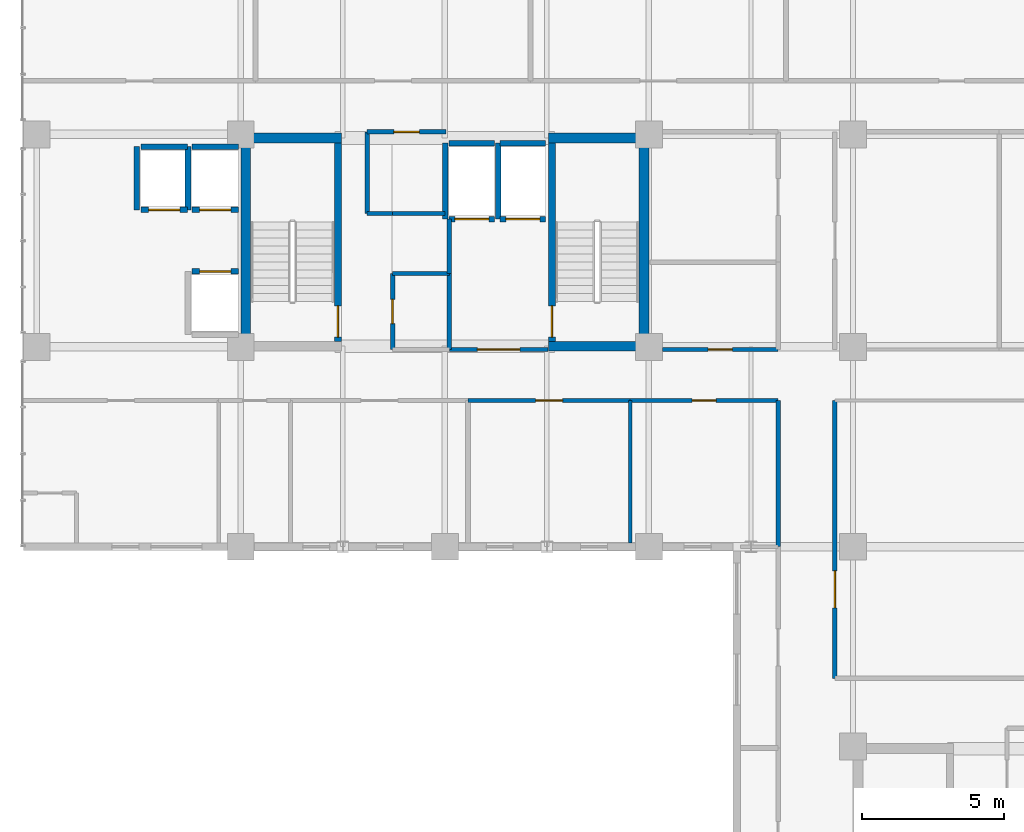
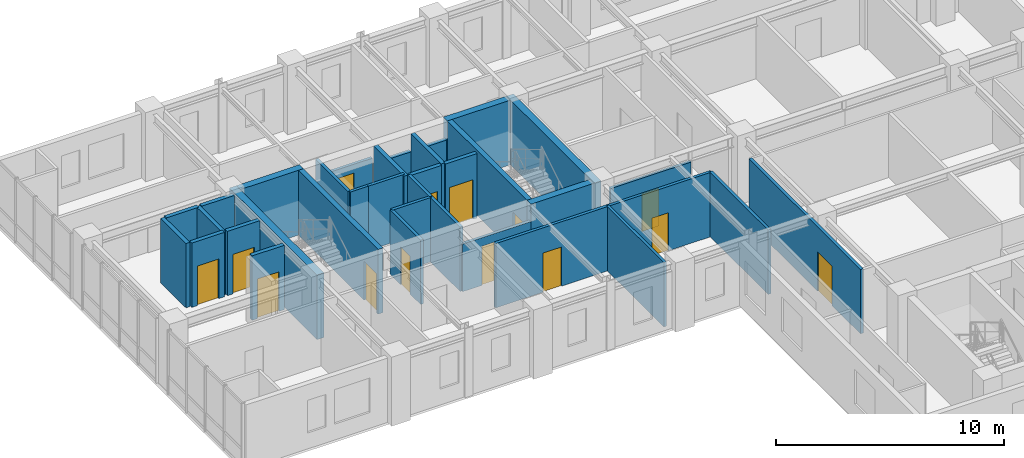
# One storey, part 13 of 20: 35 walls, 14 doors, 14 openings.
"""IFC4 building model written with IfcOpenShell, lengths in metres."""

from ifc_helpers import new_model, si_unit, direction, frame, frame_2d, origin, place, context, subcontext, project, spatial, rectangle, extrude, material, layer, layer_set, type_object, element, fill, save


model = new_model("IFC4")

# Units and contexts
model_context = context("Model", 3, precision=1e-05, world=origin(), true_north=direction((0.0, 1.0)))
body_context = subcontext(model_context, "Body", "Model", "MODEL_VIEW")
ifc_project = project(units=[si_unit("LENGTHUNIT", "METRE"), si_unit("AREAUNIT", "SQUARE_METRE"), si_unit("VOLUMEUNIT", "CUBIC_METRE"), si_unit("PLANEANGLEUNIT", "RADIAN"), si_unit("MASSUNIT", "GRAM", prefix="KILO")], contexts=[model_context])

# Site, building, storey
site_placement = place(None, origin())
site = spatial("IfcSite", under=ifc_project, at=site_placement, CompositionType="ELEMENT")
building_placement = place(site_placement, origin())
building = spatial("IfcBuilding", under=site, at=building_placement, Name="Kaliganga Portal Commons", CompositionType="ELEMENT")
storey_placement = place(building_placement, frame((0.0, 0.0, 216.60009765625)))
storey = spatial("IfcBuildingStorey", under=building, at=storey_placement, Name="L55", CompositionType="ELEMENT", Elevation=216.60009765625)

# Walls
ifc_material_1 = material(Name="Concrete C50/60", Category="concrete")
ifc_layer_1 = layer(ifc_material_1, 0.35009765625)
ifc_layer_set_1 = layer_set([ifc_layer_1], Name="Concrete C50/60")
wall_type_1 = type_object("IfcWallType", Name="WL-CORE-350", PredefinedType="SHEAR", material=ifc_layer_set_1)
for number, where, z_axis, x_axis, name in (
    (1, (14.574951171875, 28.5, 0.0), (0.0, 0.0, 1.0), (0.0, 1.0, 0.0), "Core A West Shear Wall L55"),
    (2, (28.625, 28.5, 0.0), (0.0, 0.0, 1.0), (0.0, 1.0, 0.0), "Core A East Shear Wall L55"),
):
    element("IfcWall", number, at=place(storey_placement, frame(where, z_axis=z_axis, x_axis=x_axis)), inside=storey, type_object=wall_type_1, Name=name, PredefinedType="SHEAR", context=body_context, shape_type="SweptSolid", body=[
        extrude(rectangle(XDim=7.699951171875, YDim=0.35009765625, at=frame_2d((3.85009765625, 0.0))), origin(), (0.0, 0.0, 1.0), 3.469970703125),
    ])
for number, where, z_axis, x_axis, name in (
    (3, (25.25, 28.675048828125, 0.0), (0.0, 0.0, 1.0), (1.0, 0.0, 0.0), "Core A S-East Shear Wall L55"),
    (4, (14.75, 36.02490234375, 0.0), (0.0, 0.0, 1.0), (1.0, 0.0, 0.0), "Core A N-West Shear Wall L55"),
    (5, (25.25, 36.02490234375, 0.0), (0.0, 0.0, 1.0), (1.0, 0.0, 0.0), "Core A N-East Shear Wall L55"),
):
    element("IfcWall", number, at=place(storey_placement, frame(where, z_axis=z_axis, x_axis=x_axis)), inside=storey, type_object=wall_type_1, Name=name, PredefinedType="SHEAR", context=body_context, shape_type="SweptSolid", body=[
        extrude(rectangle(XDim=3.199951171875, YDim=0.35009765625, at=frame_2d((1.60009765625, 0.0))), origin(), (0.0, 0.0, 1.0), 3.469970703125),
    ])

# Wall, opening, door
ifc_material_2 = material(Name="Fire-Rated Gypsum Board on Steel Stud", Category="steel")
ifc_layer_2 = layer(ifc_material_2, 0.14990234375)
ifc_layer_set_2 = layer_set([ifc_layer_2], Name="Fire-Rated Gypsum Board on Steel Stud")
wall_type_2 = type_object("IfcWallType", Name="WL-PART-CORR-150", PredefinedType="PARTITIONING", material=ifc_layer_set_2)
wall_1_placement = place(storey_placement, frame((35.360107421875, 16.9599609375, 0.0), z_axis=(0.0, 0.0, 1.0), x_axis=(0.0, 1.0, 0.0)))
wall_1 = element("IfcWall", 6, at=wall_1_placement, inside=storey, type_object=wall_type_2, Name="Interior Partition L55-007", PredefinedType="PARTITIONING", context=body_context, shape_type="SweptSolid", body=[
    extrude(rectangle(XDim=9.800048828125, YDim=0.14990234375, at=frame_2d((4.89990234375, 0.0))), origin(), (0.0, 0.0, 1.0), 3.449951171875),
])
opening_1_placement = place(wall_1_placement, frame((2.486083984375, 0.0, 0.0)))
opening_1 = element("IfcOpeningElement", 7, at=opening_1_placement, cuts=wall_1, Name="Opening RD-03", PredefinedType="OPENING", context=body_context, shape_type="SweptSolid", body=[
    extrude(rectangle(XDim=1.300048828125, YDim=2.1201171875, at=frame_2d((0.64990234375, 1.06005859375))), frame((0.0, 0.0849609375, 0.0), z_axis=(0.0, -1.0, 0.0), x_axis=(1.0, 0.0, 0.0)), (0.0, 0.0, 1.0), 0.169921875),
])
ifc_material_3 = material(Name="Glazed Timber Seminar Vision Door", Category="wood")
door_type_1 = type_object("IfcDoorType", Name="DR-STUDY-1300", OperationType="DOUBLE_DOOR_SINGLE_SWING", PredefinedType="DOOR", material=ifc_material_3)
door_1_placement = place(opening_1_placement, origin())
door_1 = element("IfcDoor", 8, at=door_1_placement, inside=storey, type_object=door_type_1, Name="Interior Door L55-BM01", OperationType="DOUBLE_DOOR_SINGLE_SWING", OverallHeight=2.1201171875, OverallWidth=1.300048828125, PredefinedType="DOOR", context=body_context, shape_type="SweptSolid", body=[
    extrude(rectangle(XDim=1.300048828125, YDim=2.1201171875, at=frame_2d((0.64990234375, 1.06005859375))), frame((0.0, 0.02490234375, 0.0), z_axis=(0.0, -1.0, 0.0), x_axis=(1.0, 0.0, 0.0)), (0.0, 0.0, 1.0), 0.050048828125),
])
fill(opening_1, door_1)

wall_2_placement = place(storey_placement, frame((22.419921875, 26.760009765625, 0.0), z_axis=(0.0, 0.0, 1.0), x_axis=(1.0, 0.0, 0.0)))
wall_2 = element("IfcWall", 9, at=wall_2_placement, inside=storey, type_object=wall_type_2, Name="Interior Partition L55-021", PredefinedType="PARTITIONING", context=body_context, shape_type="SweptSolid", body=[
    extrude(rectangle(XDim=5.719970703125, YDim=0.14990234375, at=frame_2d((2.85986328125, 0.0))), origin(), (0.0, 0.0, 1.0), 3.449951171875),
])
opening_2_placement = place(wall_2_placement, frame((2.385009765625, 0.0, 0.0)))
opening_2 = element("IfcOpeningElement", 10, at=opening_2_placement, cuts=wall_2, Name="Opening UD-01", PredefinedType="OPENING", context=body_context, shape_type="SweptSolid", body=[
    extrude(rectangle(XDim=0.949951171875, YDim=2.10009765625, at=frame_2d((0.47509765625, 1.050048828125))), frame((0.0, 0.0849609375, 0.0), z_axis=(0.0, -1.0, 0.0), x_axis=(1.0, 0.0, 0.0)), (0.0, 0.0, 1.0), 0.169921875),
])
ifc_material_4 = material(Name="Solid-Core Timber Acoustic Fire Door", Category="wood")
door_type_2 = type_object("IfcDoorType", Name="DR-UNIT-950", OperationType="NOTDEFINED", PredefinedType="DOOR", material=ifc_material_4)
door_2_placement = place(opening_2_placement, origin())
door_2 = element("IfcDoor", 11, at=door_2_placement, inside=storey, type_object=door_type_2, Name="Interior Door L55-AS04", OperationType="SINGLE_SWING_LEFT", OverallHeight=2.10009765625, OverallWidth=0.949951171875, PredefinedType="DOOR", context=body_context, shape_type="SweptSolid", body=[
    extrude(rectangle(XDim=0.949951171875, YDim=2.10009765625, at=frame_2d((0.47509765625, 1.050048828125))), frame((0.0, 0.02490234375, 0.0), z_axis=(0.0, -1.0, 0.0), x_axis=(1.0, 0.0, 0.0)), (0.0, 0.0, 1.0), 0.050048828125),
])
fill(opening_2, door_2)

wall_3_placement = place(storey_placement, frame((28.139892578125, 26.760009765625, 0.0), z_axis=(0.0, 0.0, 1.0), x_axis=(1.0, 0.0, 0.0)))
wall_3 = element("IfcWall", 12, at=wall_3_placement, inside=storey, type_object=wall_type_2, Name="Interior Partition L55-024", PredefinedType="PARTITIONING", context=body_context, shape_type="SweptSolid", body=[
    extrude(rectangle(XDim=5.22021484375, YDim=0.14990234375, at=frame_2d((2.610107421875, 0.0))), origin(), (0.0, 0.0, 1.0), 3.449951171875),
])
opening_3_placement = place(wall_3_placement, frame((2.18505859375, 0.0, 0.0)))
opening_3 = element("IfcOpeningElement", 13, at=opening_3_placement, cuts=wall_3, Name="Opening WD-01", PredefinedType="OPENING", context=body_context, shape_type="SweptSolid", body=[
    extrude(rectangle(XDim=0.85009765625, YDim=2.0400390625, at=frame_2d((0.425048828125, 1.02001953125))), frame((0.0, 0.0849609375, 0.0), z_axis=(0.0, -1.0, 0.0), x_axis=(1.0, 0.0, 0.0)), (0.0, 0.0, 1.0), 0.169921875),
])
ifc_material_5 = material(Name="Moisture-Resistant Laminate Timber Door", Category="wood")
door_type_3 = type_object("IfcDoorType", Name="DR-WET-850", OperationType="NOTDEFINED", PredefinedType="DOOR", material=ifc_material_5)
door_3_placement = place(opening_3_placement, origin())
door_3 = element("IfcDoor", 14, at=door_3_placement, inside=storey, type_object=door_type_3, Name="Interior Door L55-AS05", OperationType="SINGLE_SWING_RIGHT", OverallHeight=2.0400390625, OverallWidth=0.85009765625, PredefinedType="DOOR", context=body_context, shape_type="SweptSolid", body=[
    extrude(rectangle(XDim=0.85009765625, YDim=2.0400390625, at=frame_2d((0.425048828125, 1.02001953125))), frame((0.0, 0.02490234375, 0.0), z_axis=(0.0, -1.0, 0.0), x_axis=(1.0, 0.0, 0.0)), (0.0, 0.0, 1.0), 0.050048828125),
])
fill(opening_3, door_3)

# Wall
wall_4_placement = place(storey_placement, frame((33.360107421875, 21.60009765625, 0.0), z_axis=(0.0, 0.0, 1.0), x_axis=(0.0, 1.0, 0.0)))
element("IfcWall", 15, at=wall_4_placement, inside=storey, type_object=wall_type_2, Name="Interior Partition L55-025", PredefinedType="PARTITIONING", context=body_context, shape_type="SweptSolid", body=[
    extrude(rectangle(XDim=5.159912109375, YDim=0.14990234375, at=frame_2d((2.580078125, 0.0))), origin(), (0.0, 0.0, 1.0), 3.449951171875),
])

# Wall, opening, door
wall_5_placement = place(storey_placement, frame((29.27490234375, 28.56005859375, 0.0), z_axis=(0.0, 0.0, 1.0), x_axis=(1.0, 0.0, 0.0)))
wall_5 = element("IfcWall", 16, at=wall_5_placement, inside=storey, type_object=wall_type_2, Name="Interior Partition L55-029", PredefinedType="PARTITIONING", context=body_context, shape_type="SweptSolid", body=[
    extrude(rectangle(XDim=4.085205078125, YDim=0.14990234375, at=frame_2d((2.04248046875, 0.0))), origin(), (0.0, 0.0, 1.0), 2.89990234375),
])
opening_4_placement = place(wall_5_placement, frame((1.612548828125, 0.0, 0.0)))
opening_4 = element("IfcOpeningElement", 17, at=opening_4_placement, cuts=wall_5, Name="Opening WD-02", PredefinedType="OPENING", context=body_context, shape_type="SweptSolid", body=[
    extrude(rectangle(XDim=0.860107421875, YDim=2.02001953125, at=frame_2d((0.43017578125, 1.010009765625))), frame((0.0, 0.0849609375, 0.0), z_axis=(0.0, -1.0, 0.0), x_axis=(1.0, 0.0, 0.0)), (0.0, 0.0, 1.0), 0.169921875),
])
ifc_material_6 = material(Name="Fire-Rated Utility Closet Door", Category="wood")
door_type_4 = type_object("IfcDoorType", Name="DR-STORE-800", OperationType="NOTDEFINED", PredefinedType="DOOR", material=ifc_material_6)
door_4_placement = place(opening_4_placement, origin())
door_4 = element("IfcDoor", 18, at=door_4_placement, inside=storey, type_object=door_type_4, Name="Interior Door L55-CSRV_A1", OperationType="SINGLE_SWING_LEFT", OverallHeight=2.02001953125, OverallWidth=0.860107421875, PredefinedType="DOOR", context=body_context, shape_type="SweptSolid", body=[
    extrude(rectangle(XDim=0.860107421875, YDim=2.02001953125, at=frame_2d((0.43017578125, 1.010009765625))), frame((0.0, 0.02490234375, 0.0), z_axis=(0.0, -1.0, 0.0), x_axis=(1.0, 0.0, 0.0)), (0.0, 0.0, 1.0), 0.050048828125),
])
fill(opening_4, door_4)

# Wall
wall_6_placement = place(storey_placement, frame((18.860107421875, 33.360107421875, 0.0), z_axis=(0.0, 0.0, 1.0), x_axis=(0.0, 1.0, 0.0)))
element("IfcWall", 19, at=wall_6_placement, inside=storey, type_object=wall_type_2, Name="Interior Partition L55-033", PredefinedType="PARTITIONING", context=body_context, shape_type="SweptSolid", body=[
    extrude(rectangle(XDim=2.8798828125, YDim=0.14990234375, at=frame_2d((1.43994140625, 0.0))), origin(), (0.0, 0.0, 1.0), 3.449951171875),
])

# Wall, opening, door
wall_7_placement = place(storey_placement, frame((18.860107421875, 36.239990234375, 0.0), z_axis=(0.0, 0.0, 1.0), x_axis=(1.0, 0.0, 0.0)))
wall_7 = element("IfcWall", 20, at=wall_7_placement, inside=storey, type_object=wall_type_2, Name="Interior Partition L55-035", PredefinedType="PARTITIONING", context=body_context, shape_type="SweptSolid", body=[
    extrude(rectangle(XDim=2.77978515625, YDim=0.14990234375, at=frame_2d((1.389892578125, 0.0))), origin(), (0.0, 0.0, 1.0), 2.5498046875),
])
opening_5_placement = place(wall_7_placement, frame((0.93994140625, 0.0, 0.0)))
opening_5 = element("IfcOpeningElement", 21, at=opening_5_placement, cuts=wall_7, Name="Opening RD-01", PredefinedType="OPENING", context=body_context, shape_type="SweptSolid", body=[
    extrude(rectangle(XDim=0.89990234375, YDim=2.080078125, at=frame_2d((0.449951171875, 1.0400390625))), frame((0.0, 0.0849609375, 0.0), z_axis=(0.0, -1.0, 0.0), x_axis=(1.0, 0.0, 0.0)), (0.0, 0.0, 1.0), 0.169921875),
])
ifc_material_7 = material(Name="Engineered Timber Flush Door", Category="wood")
door_type_5 = type_object("IfcDoorType", Name="DR-ROOM-900", OperationType="NOTDEFINED", PredefinedType="DOOR", material=ifc_material_7)
door_5_placement = place(opening_5_placement, origin())
door_5 = element("IfcDoor", 22, at=door_5_placement, inside=storey, type_object=door_type_5, Name="Interior Door L55-CREC_A1", OperationType="SINGLE_SWING_RIGHT", OverallHeight=2.080078125, OverallWidth=0.89990234375, PredefinedType="DOOR", context=body_context, shape_type="SweptSolid", body=[
    extrude(rectangle(XDim=0.89990234375, YDim=2.080078125, at=frame_2d((0.449951171875, 1.0400390625))), frame((0.0, 0.02490234375, 0.0), z_axis=(0.0, -1.0, 0.0), x_axis=(1.0, 0.0, 0.0)), (0.0, 0.0, 1.0), 0.050048828125),
])
fill(opening_5, door_5)

wall_8_placement = place(storey_placement, frame((19.760009765625, 28.56005859375, 0.0), z_axis=(0.0, 0.0, 1.0), x_axis=(0.0, 1.0, 0.0)))
wall_8 = element("IfcWall", 23, at=wall_8_placement, inside=storey, type_object=wall_type_2, Name="Interior Partition L55-036", PredefinedType="PARTITIONING", context=body_context, shape_type="SweptSolid", body=[
    extrude(rectangle(XDim=2.679931640625, YDim=0.14990234375, at=frame_2d((1.33984375, 0.0))), origin(), (0.0, 0.0, 1.0), 3.449951171875),
])
opening_6_placement = place(wall_8_placement, frame((0.909912109375, 0.0, 0.0)))
opening_6 = element("IfcOpeningElement", 24, at=opening_6_placement, cuts=wall_8, Name="Opening WD-02", PredefinedType="OPENING", context=body_context, shape_type="SweptSolid", body=[
    extrude(rectangle(XDim=0.860107421875, YDim=2.02001953125, at=frame_2d((0.43017578125, 1.010009765625))), frame((0.0, 0.0849609375, 0.0), z_axis=(0.0, -1.0, 0.0), x_axis=(1.0, 0.0, 0.0)), (0.0, 0.0, 1.0), 0.169921875),
])
door_6_placement = place(opening_6_placement, origin())
door_6 = element("IfcDoor", 25, at=door_6_placement, inside=storey, type_object=door_type_4, Name="Interior Door L55-CIN_A1", OperationType="SINGLE_SWING_LEFT", OverallHeight=2.02001953125, OverallWidth=0.860107421875, PredefinedType="DOOR", context=body_context, shape_type="SweptSolid", body=[
    extrude(rectangle(XDim=0.860107421875, YDim=2.02001953125, at=frame_2d((0.43017578125, 1.010009765625))), frame((0.0, 0.02490234375, 0.0), z_axis=(0.0, -1.0, 0.0), x_axis=(1.0, 0.0, 0.0)), (0.0, 0.0, 1.0), 0.050048828125),
])
fill(opening_6, door_6)

# Walls
wall_9_placement = place(storey_placement, frame((21.760009765625, 28.56005859375, 0.0), z_axis=(0.0, 0.0, 1.0), x_axis=(0.0, 1.0, 0.0)))
element("IfcWall", 26, at=wall_9_placement, inside=storey, type_object=wall_type_2, Name="Interior Partition L55-037", PredefinedType="PARTITIONING", context=body_context, shape_type="SweptSolid", body=[
    extrude(rectangle(XDim=2.679931640625, YDim=0.14990234375, at=frame_2d((1.33984375, 0.0))), origin(), (0.0, 0.0, 1.0), 3.449951171875),
])
wall_10_placement = place(storey_placement, frame((19.760009765625, 31.239990234375, 0.0), z_axis=(0.0, 0.0, 1.0), x_axis=(1.0, 0.0, 0.0)))
element("IfcWall", 27, at=wall_10_placement, inside=storey, type_object=wall_type_2, Name="Interior Partition L55-040", PredefinedType="PARTITIONING", context=body_context, shape_type="SweptSolid", body=[
    extrude(rectangle(XDim=2.0, YDim=0.14990234375, at=frame_2d((1.0, 0.0))), origin(), (0.0, 0.0, 1.0), 3.449951171875),
])
wall_11_placement = place(storey_placement, frame((19.760009765625, 33.360107421875, 0.0), z_axis=(0.0, 0.0, 1.0), x_axis=(1.0, 0.0, 0.0)))
element("IfcWall", 28, at=wall_11_placement, inside=storey, type_object=wall_type_2, Name="Interior Partition L55-041", PredefinedType="PARTITIONING", context=body_context, shape_type="SweptSolid", body=[
    extrude(rectangle(XDim=1.85009765625, YDim=0.14990234375, at=frame_2d((0.925048828125, 0.0))), origin(), (0.0, 0.0, 1.0), 3.449951171875),
])
wall_12_placement = place(storey_placement, frame((18.860107421875, 33.360107421875, 0.0), z_axis=(0.0, 0.0, 1.0), x_axis=(1.0, 0.0, 0.0)))
element("IfcWall", 29, at=wall_12_placement, inside=storey, type_object=wall_type_2, Name="Interior Partition L55-048", PredefinedType="PARTITIONING", context=body_context, shape_type="SweptSolid", body=[
    extrude(rectangle(XDim=0.89990234375, YDim=0.14990234375, at=frame_2d((0.449951171875, 0.0))), origin(), (0.0, 0.0, 1.0), 3.449951171875),
])

# Wall, opening, door
wall_13_placement = place(storey_placement, frame((21.760009765625, 28.56005859375, 0.0), z_axis=(0.0, 0.0, 1.0), x_axis=(1.0, 0.0, 0.0)))
wall_13 = element("IfcWall", 30, at=wall_13_placement, inside=storey, type_object=wall_type_2, Name="Interior Partition L55-076", PredefinedType="PARTITIONING", context=body_context, shape_type="SweptSolid", body=[
    extrude(rectangle(XDim=3.47998046875, YDim=0.14990234375, at=frame_2d((1.739990234375, 0.0))), origin(), (0.0, 0.0, 1.0), 2.5498046875),
])
opening_7_placement = place(wall_13_placement, frame((0.989990234375, 0.0, 0.0)))
opening_7 = element("IfcOpeningElement", 31, at=opening_7_placement, cuts=wall_13, Name="Opening FD-01", PredefinedType="OPENING", context=body_context, shape_type="SweptSolid", body=[
    extrude(rectangle(XDim=1.5, YDim=2.10009765625, at=frame_2d((0.75, 1.050048828125))), frame((0.0, 0.0849609375, 0.0), z_axis=(0.0, -1.0, 0.0), x_axis=(1.0, 0.0, 0.0)), (0.0, 0.0, 1.0), 0.169921875),
])
ifc_material_8 = material(Name="Fire-Rated Hardwood and Georgian-Wired Vision Panel", Category="wood")
door_type_6 = type_object("IfcDoorType", Name="DR-LOBBY-1500", OperationType="DOUBLE_DOOR_SINGLE_SWING", PredefinedType="DOOR", material=ifc_material_8)
door_7_placement = place(opening_7_placement, origin())
door_7 = element("IfcDoor", 32, at=door_7_placement, inside=storey, type_object=door_type_6, Name="Interior Door L55-FFLOB_A", OperationType="DOUBLE_DOOR_SINGLE_SWING", OverallHeight=2.10009765625, OverallWidth=1.5, PredefinedType="DOOR", context=body_context, shape_type="SweptSolid", body=[
    extrude(rectangle(XDim=1.5, YDim=2.10009765625, at=frame_2d((0.75, 1.050048828125))), frame((0.0, 0.02490234375, 0.0), z_axis=(0.0, -1.0, 0.0), x_axis=(1.0, 0.0, 0.0)), (0.0, 0.0, 1.0), 0.050048828125),
])
fill(opening_7, door_7)

# Walls
wall_14_placement = place(storey_placement, frame((21.760009765625, 31.239990234375, 0.0), z_axis=(0.0, 0.0, 1.0), x_axis=(0.0, 1.0, 0.0)))
element("IfcWall", 33, at=wall_14_placement, inside=storey, type_object=wall_type_2, Name="Interior Partition L55-078", PredefinedType="PARTITIONING", context=body_context, shape_type="SweptSolid", body=[
    extrude(rectangle(XDim=1.919921875, YDim=0.14990234375, at=frame_2d((0.9599609375, 0.0))), origin(), (0.0, 0.0, 1.0), 3.449951171875),
])
ifc_material_9 = material(Name="Cement-Board Wet-Room Partition", Category="gypsum")
ifc_layer_3 = layer(ifc_material_9, 0.135009765625)
ifc_layer_set_3 = layer_set([ifc_layer_3], Name="Cement-Board Wet-Room Partition")
wall_type_3 = type_object("IfcWallType", Name="WL-PART-WET-135", PredefinedType="PARTITIONING", material=ifc_layer_set_3)
wall_15_placement = place(storey_placement, frame((28.139892578125, 21.73193359375, 0.0), z_axis=(0.0, 0.0, 1.0), x_axis=(0.0, 1.0, 0.0)))
element("IfcWall", 34, at=wall_15_placement, inside=storey, type_object=wall_type_3, Name="Interior Partition L55-071", PredefinedType="PARTITIONING", context=body_context, shape_type="SweptSolid", body=[
    extrude(rectangle(XDim=5.028076171875, YDim=0.135009765625, at=frame_2d((2.51416015625, 0.0))), origin(), (0.0, 0.0, 1.0), 3.449951171875),
])

# Wall, opening, door
ifc_material_10 = material(Name="Fire-Rated Shaftwall Masonry Assembly", Category="masonry")
ifc_layer_4 = layer(ifc_material_10, 0.199951171875)
ifc_layer_set_4 = layer_set([ifc_layer_4], Name="Fire-Rated Shaftwall Masonry Assembly")
wall_type_4 = type_object("IfcWallType", Name="WL-SHAFT-200", PredefinedType="PARTITIONING", material=ifc_layer_set_4)
wall_16_placement = place(storey_placement, frame((12.675048828125, 33.485107421875, 0.0), z_axis=(0.0, 0.0, 1.0), x_axis=(1.0, 0.0, 0.0)))
wall_16 = element("IfcWall", 35, at=wall_16_placement, inside=storey, type_object=wall_type_4, Name="Lift PL-A3 Hoistway Shaft Wall L55-S", PredefinedType="PARTITIONING", context=body_context, shape_type="SweptSolid", body=[
    extrude(rectangle(XDim=1.64990234375, YDim=0.199951171875, at=frame_2d((0.824951171875, 0.0))), origin(), (0.0, 0.0, 1.0), 3.449951171875),
])
opening_8_placement = place(wall_16_placement, frame((0.27490234375, 0.0, 0.0)))
opening_8 = element("IfcOpeningElement", 36, at=opening_8_placement, cuts=wall_16, Name="Opening LD-01", PredefinedType="OPENING", context=body_context, shape_type="SweptSolid", body=[
    extrude(rectangle(XDim=1.10009765625, YDim=2.1201171875, at=frame_2d((0.550048828125, 1.06005859375))), frame((0.0, 0.10986328125, 0.0), z_axis=(0.0, -1.0, 0.0), x_axis=(1.0, 0.0, 0.0)), (0.0, 0.0, 1.0), 0.219970703125),
])
ifc_material_11 = material(Name="Brushed Stainless Steel 316 Lift Landing Door", Category="steel")
door_type_7 = type_object("IfcDoorType", Name="DR-LIFT-1100", OperationType="SLIDING_TO_LEFT", PredefinedType="DOOR", material=ifc_material_11)
door_8_placement = place(opening_8_placement, origin())
door_8 = element("IfcDoor", 37, at=door_8_placement, inside=storey, type_object=door_type_7, Name="Lift PL-A3 Sliding Landing Door L55", OperationType="SLIDING_TO_LEFT", OverallHeight=2.1201171875, OverallWidth=1.10009765625, PredefinedType="DOOR", context=body_context, shape_type="SweptSolid", body=[
    extrude(rectangle(XDim=1.10009765625, YDim=2.1201171875, at=frame_2d((0.550048828125, 1.06005859375))), frame((0.0, 0.02490234375, 0.0), z_axis=(0.0, -1.0, 0.0), x_axis=(1.0, 0.0, 0.0)), (0.0, 0.0, 1.0), 0.050048828125),
])
fill(opening_8, door_8)

# Walls
wall_17_placement = place(storey_placement, frame((12.675048828125, 35.715087890625, 0.0), z_axis=(0.0, 0.0, 1.0), x_axis=(1.0, 0.0, 0.0)))
element("IfcWall", 38, at=wall_17_placement, inside=storey, type_object=wall_type_4, Name="Lift PL-A3 Hoistway Shaft Wall L55-N", PredefinedType="PARTITIONING", context=body_context, shape_type="SweptSolid", body=[
    extrude(rectangle(XDim=1.64990234375, YDim=0.199951171875, at=frame_2d((0.824951171875, 0.0))), origin(), (0.0, 0.0, 1.0), 3.449951171875),
])
wall_18_placement = place(storey_placement, frame((12.534912109375, 33.485107421875, 0.0), z_axis=(0.0, 0.0, 1.0), x_axis=(0.0, 1.0, 0.0)))
element("IfcWall", 39, at=wall_18_placement, inside=storey, type_object=wall_type_4, Name="Lift PL-A3 Hoistway Shaft Wall L55-W", PredefinedType="PARTITIONING", context=body_context, shape_type="SweptSolid", body=[
    extrude(rectangle(XDim=2.22998046875, YDim=0.199951171875, at=frame_2d((1.114990234375, 0.0))), origin(), (0.0, 0.0, 1.0), 3.449951171875),
])

# Wall, opening, door
wall_19_placement = place(storey_placement, frame((12.675048828125, 31.31494140625, 0.0), z_axis=(0.0, 0.0, 1.0), x_axis=(1.0, 0.0, 0.0)))
wall_19 = element("IfcWall", 40, at=wall_19_placement, inside=storey, type_object=wall_type_4, Name="Lift PL-A4 Hoistway Shaft Wall L55-N", PredefinedType="PARTITIONING", context=body_context, shape_type="SweptSolid", body=[
    extrude(rectangle(XDim=1.64990234375, YDim=0.199951171875, at=frame_2d((0.824951171875, 0.0))), origin(), (0.0, 0.0, 1.0), 3.449951171875),
])
opening_9_placement = place(wall_19_placement, frame((0.27490234375, 0.0, 0.0)))
opening_9 = element("IfcOpeningElement", 41, at=opening_9_placement, cuts=wall_19, Name="Opening LD-01", PredefinedType="OPENING", context=body_context, shape_type="SweptSolid", body=[
    extrude(rectangle(XDim=1.10009765625, YDim=2.1201171875, at=frame_2d((0.550048828125, 1.06005859375))), frame((0.0, 0.10986328125, 0.0), z_axis=(0.0, -1.0, 0.0), x_axis=(1.0, 0.0, 0.0)), (0.0, 0.0, 1.0), 0.219970703125),
])
door_9_placement = place(opening_9_placement, origin())
door_9 = element("IfcDoor", 42, at=door_9_placement, inside=storey, type_object=door_type_7, Name="Lift PL-A4 Sliding Landing Door L55", OperationType="SLIDING_TO_LEFT", OverallHeight=2.1201171875, OverallWidth=1.10009765625, PredefinedType="DOOR", context=body_context, shape_type="SweptSolid", body=[
    extrude(rectangle(XDim=1.10009765625, YDim=2.1201171875, at=frame_2d((0.550048828125, 1.06005859375))), frame((0.0, 0.02490234375, 0.0), z_axis=(0.0, -1.0, 0.0), x_axis=(1.0, 0.0, 0.0)), (0.0, 0.0, 1.0), 0.050048828125),
])
fill(opening_9, door_9)

wall_20_placement = place(storey_placement, frame((10.875, 33.485107421875, 0.0), z_axis=(0.0, 0.0, 1.0), x_axis=(1.0, 0.0, 0.0)))
wall_20 = element("IfcWall", 43, at=wall_20_placement, inside=storey, type_object=wall_type_4, Name="Lift PL-OBS Hoistway Shaft Wall L55-S", PredefinedType="PARTITIONING", context=body_context, shape_type="SweptSolid", body=[
    extrude(rectangle(XDim=1.64990234375, YDim=0.199951171875, at=frame_2d((0.824951171875, 0.0))), origin(), (0.0, 0.0, 1.0), 3.449951171875),
])
opening_10_placement = place(wall_20_placement, frame((0.27490234375, 0.0, 0.0)))
opening_10 = element("IfcOpeningElement", 44, at=opening_10_placement, cuts=wall_20, Name="Opening LD-01", PredefinedType="OPENING", context=body_context, shape_type="SweptSolid", body=[
    extrude(rectangle(XDim=1.10009765625, YDim=2.1201171875, at=frame_2d((0.550048828125, 1.06005859375))), frame((0.0, 0.10986328125, 0.0), z_axis=(0.0, -1.0, 0.0), x_axis=(1.0, 0.0, 0.0)), (0.0, 0.0, 1.0), 0.219970703125),
])
door_10_placement = place(opening_10_placement, origin())
door_10 = element("IfcDoor", 45, at=door_10_placement, inside=storey, type_object=door_type_7, Name="Lift PL-OBS Sliding Landing Door L55", OperationType="SLIDING_TO_LEFT", OverallHeight=2.1201171875, OverallWidth=1.10009765625, PredefinedType="DOOR", context=body_context, shape_type="SweptSolid", body=[
    extrude(rectangle(XDim=1.10009765625, YDim=2.1201171875, at=frame_2d((0.550048828125, 1.06005859375))), frame((0.0, 0.02490234375, 0.0), z_axis=(0.0, -1.0, 0.0), x_axis=(1.0, 0.0, 0.0)), (0.0, 0.0, 1.0), 0.050048828125),
])
fill(opening_10, door_10)

# Walls
wall_21_placement = place(storey_placement, frame((10.875, 35.715087890625, 0.0), z_axis=(0.0, 0.0, 1.0), x_axis=(1.0, 0.0, 0.0)))
element("IfcWall", 46, at=wall_21_placement, inside=storey, type_object=wall_type_4, Name="Lift PL-OBS Hoistway Shaft Wall L55-N", PredefinedType="PARTITIONING", context=body_context, shape_type="SweptSolid", body=[
    extrude(rectangle(XDim=1.64990234375, YDim=0.199951171875, at=frame_2d((0.824951171875, 0.0))), origin(), (0.0, 0.0, 1.0), 3.449951171875),
])
wall_22_placement = place(storey_placement, frame((10.735107421875, 33.485107421875, 0.0), z_axis=(0.0, 0.0, 1.0), x_axis=(0.0, 1.0, 0.0)))
element("IfcWall", 47, at=wall_22_placement, inside=storey, type_object=wall_type_4, Name="Lift PL-OBS Hoistway Shaft Wall L55-W", PredefinedType="PARTITIONING", context=body_context, shape_type="SweptSolid", body=[
    extrude(rectangle(XDim=2.22998046875, YDim=0.199951171875, at=frame_2d((1.114990234375, 0.0))), origin(), (0.0, 0.0, 1.0), 3.449951171875),
])

# Wall, opening, door
wall_23_placement = place(storey_placement, frame((21.75, 33.159912109375, 0.0), z_axis=(0.0, 0.0, 1.0), x_axis=(1.0, 0.0, 0.0)))
wall_23 = element("IfcWall", 48, at=wall_23_placement, inside=storey, type_object=wall_type_4, Name="Lift FFL-1 Hoistway Shaft Wall L55-S", PredefinedType="PARTITIONING", context=body_context, shape_type="SweptSolid", body=[
    extrude(rectangle(XDim=1.60009765625, YDim=0.199951171875, at=frame_2d((0.800048828125, 0.0))), origin(), (0.0, 0.0, 1.0), 3.449951171875),
])
opening_11_placement = place(wall_23_placement, frame((0.199951171875, 0.0, 0.0)))
opening_11 = element("IfcOpeningElement", 49, at=opening_11_placement, cuts=wall_23, Name="Opening LD-02", PredefinedType="OPENING", context=body_context, shape_type="SweptSolid", body=[
    extrude(rectangle(XDim=1.199951171875, YDim=2.1201171875, at=frame_2d((0.60009765625, 1.06005859375))), frame((0.0, 0.10986328125, 0.0), z_axis=(0.0, -1.0, 0.0), x_axis=(1.0, 0.0, 0.0)), (0.0, 0.0, 1.0), 0.219970703125),
])
ifc_material_12 = material(Name="Brushed Stainless Steel 316 Stretcher Lift Landing Door", Category="steel")
door_type_8 = type_object("IfcDoorType", Name="DR-LIFT-1200", OperationType="SLIDING_TO_RIGHT", PredefinedType="DOOR", material=ifc_material_12)
door_11_placement = place(opening_11_placement, origin())
door_11 = element("IfcDoor", 50, at=door_11_placement, inside=storey, type_object=door_type_8, Name="Lift FFL-1 Sliding Landing Door L55", OperationType="SLIDING_TO_RIGHT", OverallHeight=2.1201171875, OverallWidth=1.199951171875, PredefinedType="DOOR", context=body_context, shape_type="SweptSolid", body=[
    extrude(rectangle(XDim=1.199951171875, YDim=2.1201171875, at=frame_2d((0.60009765625, 1.06005859375))), frame((0.0, 0.02490234375, 0.0), z_axis=(0.0, -1.0, 0.0), x_axis=(1.0, 0.0, 0.0)), (0.0, 0.0, 1.0), 0.050048828125),
])
fill(opening_11, door_11)

# Walls
wall_24_placement = place(storey_placement, frame((21.75, 35.840087890625, 0.0), z_axis=(0.0, 0.0, 1.0), x_axis=(1.0, 0.0, 0.0)))
element("IfcWall", 51, at=wall_24_placement, inside=storey, type_object=wall_type_4, Name="Lift FFL-1 Hoistway Shaft Wall L55-N", PredefinedType="PARTITIONING", context=body_context, shape_type="SweptSolid", body=[
    extrude(rectangle(XDim=1.60009765625, YDim=0.199951171875, at=frame_2d((0.800048828125, 0.0))), origin(), (0.0, 0.0, 1.0), 2.5498046875),
])
for number, where, z_axis, x_axis, name in (
    (52, (21.610107421875, 33.159912109375, 0.0), (0.0, 0.0, 1.0), (0.0, 1.0, 0.0), "Lift FFL-1 Hoistway Shaft Wall L55-W"),
    (53, (23.489990234375, 33.159912109375, 0.0), (0.0, 0.0, 1.0), (0.0, 1.0, 0.0), "Lift FFL-1 Hoistway Shaft Wall L55-E"),
):
    element("IfcWall", number, at=place(storey_placement, frame(where, z_axis=z_axis, x_axis=x_axis)), inside=storey, type_object=wall_type_4, Name=name, PredefinedType="PARTITIONING", context=body_context, shape_type="SweptSolid", body=[
        extrude(rectangle(XDim=2.68017578125, YDim=0.199951171875, at=frame_2d((1.340087890625, 0.0))), origin(), (0.0, 0.0, 1.0), 3.449951171875),
    ])

# Wall, opening, door
wall_25_placement = place(storey_placement, frame((23.550048828125, 33.159912109375, 0.0), z_axis=(0.0, 0.0, 1.0), x_axis=(1.0, 0.0, 0.0)))
wall_25 = element("IfcWall", 54, at=wall_25_placement, inside=storey, type_object=wall_type_4, Name="Lift FFL-2 Hoistway Shaft Wall L55-S", PredefinedType="PARTITIONING", context=body_context, shape_type="SweptSolid", body=[
    extrude(rectangle(XDim=1.599853515625, YDim=0.199951171875, at=frame_2d((0.7998046875, 0.0))), origin(), (0.0, 0.0, 1.0), 3.449951171875),
])
opening_12_placement = place(wall_25_placement, frame((0.199951171875, 0.0, 0.0)))
opening_12 = element("IfcOpeningElement", 55, at=opening_12_placement, cuts=wall_25, Name="Opening LD-02", PredefinedType="OPENING", context=body_context, shape_type="SweptSolid", body=[
    extrude(rectangle(XDim=1.199951171875, YDim=2.1201171875, at=frame_2d((0.60009765625, 1.06005859375))), frame((0.0, 0.10986328125, 0.0), z_axis=(0.0, -1.0, 0.0), x_axis=(1.0, 0.0, 0.0)), (0.0, 0.0, 1.0), 0.219970703125),
])
door_12_placement = place(opening_12_placement, origin())
door_12 = element("IfcDoor", 56, at=door_12_placement, inside=storey, type_object=door_type_8, Name="Lift FFL-2 Sliding Landing Door L55", OperationType="SLIDING_TO_RIGHT", OverallHeight=2.1201171875, OverallWidth=1.199951171875, PredefinedType="DOOR", context=body_context, shape_type="SweptSolid", body=[
    extrude(rectangle(XDim=1.199951171875, YDim=2.1201171875, at=frame_2d((0.60009765625, 1.06005859375))), frame((0.0, 0.02490234375, 0.0), z_axis=(0.0, -1.0, 0.0), x_axis=(1.0, 0.0, 0.0)), (0.0, 0.0, 1.0), 0.050048828125),
])
fill(opening_12, door_12)

# Wall
wall_26_placement = place(storey_placement, frame((23.550048828125, 35.840087890625, 0.0), z_axis=(0.0, 0.0, 1.0), x_axis=(1.0, 0.0, 0.0)))
element("IfcWall", 57, at=wall_26_placement, inside=storey, type_object=wall_type_4, Name="Lift FFL-2 Hoistway Shaft Wall L55-N", PredefinedType="PARTITIONING", context=body_context, shape_type="SweptSolid", body=[
    extrude(rectangle(XDim=1.599853515625, YDim=0.199951171875, at=frame_2d((0.7998046875, 0.0))), origin(), (0.0, 0.0, 1.0), 2.5498046875),
])

# Wall, opening, door
ifc_layer_5 = layer(ifc_material_1, 0.25)
ifc_layer_set_5 = layer_set([ifc_layer_5], Name="Concrete C50/60")
wall_type_5 = type_object("IfcWallType", Name="WL-STAIR-250", PredefinedType="SHEAR", material=ifc_layer_set_5)
wall_27_placement = place(storey_placement, frame((17.824951171875, 28.85009765625, 0.0), z_axis=(0.0, 0.0, 1.0), x_axis=(0.0, 1.0, 0.0)))
wall_27 = element("IfcWall", 58, at=wall_27_placement, inside=storey, type_object=wall_type_5, Name="Stair A1 Enclosure Shear Wall L55", PredefinedType="SHEAR", context=body_context, shape_type="SweptSolid", body=[
    extrude(rectangle(XDim=7.0, YDim=0.25, at=frame_2d((3.5, 0.0))), origin(), (0.0, 0.0, 1.0), 3.469970703125),
])
opening_13_placement = place(wall_27_placement, frame((0.14990234375, 0.0, 0.0)))
opening_13 = element("IfcOpeningElement", 59, at=opening_13_placement, cuts=wall_27, Name="Opening SD-01", PredefinedType="OPENING", context=body_context, shape_type="SweptSolid", body=[
    extrude(rectangle(XDim=1.10009765625, YDim=2.080078125, at=frame_2d((0.550048828125, 1.0400390625))), frame((0.0, 0.135009765625, 0.0), z_axis=(0.0, -1.0, 0.0), x_axis=(1.0, 0.0, 0.0)), (0.0, 0.0, 1.0), 0.27001953125),
])
ifc_material_13 = material(Name="Galvanized Steel Fire Door Leaf and Frame", Category="steel")
door_type_9 = type_object("IfcDoorType", Name="DR-STAIR-1100", OperationType="NOTDEFINED", PredefinedType="DOOR", material=ifc_material_13)
door_13_placement = place(opening_13_placement, origin())
door_13 = element("IfcDoor", 60, at=door_13_placement, inside=storey, type_object=door_type_9, Name="Protected Stair ST-A1 Fire Door L55", OperationType="SINGLE_SWING_LEFT", OverallHeight=2.080078125, OverallWidth=1.10009765625, PredefinedType="DOOR", context=body_context, shape_type="SweptSolid", body=[
    extrude(rectangle(XDim=1.10009765625, YDim=2.080078125, at=frame_2d((0.550048828125, 1.0400390625))), frame((0.0, 0.02490234375, 0.0), z_axis=(0.0, -1.0, 0.0), x_axis=(1.0, 0.0, 0.0)), (0.0, 0.0, 1.0), 0.050048828125),
])
fill(opening_13, door_13)

wall_28_placement = place(storey_placement, frame((25.375, 28.85009765625, 0.0), z_axis=(0.0, 0.0, 1.0), x_axis=(0.0, 1.0, 0.0)))
wall_28 = element("IfcWall", 61, at=wall_28_placement, inside=storey, type_object=wall_type_5, Name="Stair A2 Enclosure Shear Wall L55", PredefinedType="SHEAR", context=body_context, shape_type="SweptSolid", body=[
    extrude(rectangle(XDim=7.0, YDim=0.25, at=frame_2d((3.5, 0.0))), origin(), (0.0, 0.0, 1.0), 3.469970703125),
])
opening_14_placement = place(wall_28_placement, frame((0.14990234375, 0.0, 0.0)))
opening_14 = element("IfcOpeningElement", 62, at=opening_14_placement, cuts=wall_28, Name="Opening SD-01", PredefinedType="OPENING", context=body_context, shape_type="SweptSolid", body=[
    extrude(rectangle(XDim=1.10009765625, YDim=2.080078125, at=frame_2d((0.550048828125, 1.0400390625))), frame((0.0, 0.135009765625, 0.0), z_axis=(0.0, -1.0, 0.0), x_axis=(1.0, 0.0, 0.0)), (0.0, 0.0, 1.0), 0.27001953125),
])
door_14_placement = place(opening_14_placement, origin())
door_14 = element("IfcDoor", 63, at=door_14_placement, inside=storey, type_object=door_type_9, Name="Protected Stair ST-A2 Fire Door L55", OperationType="SINGLE_SWING_RIGHT", OverallHeight=2.080078125, OverallWidth=1.10009765625, PredefinedType="DOOR", context=body_context, shape_type="SweptSolid", body=[
    extrude(rectangle(XDim=1.10009765625, YDim=2.080078125, at=frame_2d((0.550048828125, 1.0400390625))), frame((0.0, 0.02490234375, 0.0), z_axis=(0.0, -1.0, 0.0), x_axis=(1.0, 0.0, 0.0)), (0.0, 0.0, 1.0), 0.050048828125),
])
fill(opening_14, door_14)

save(model, "model.ifc")
